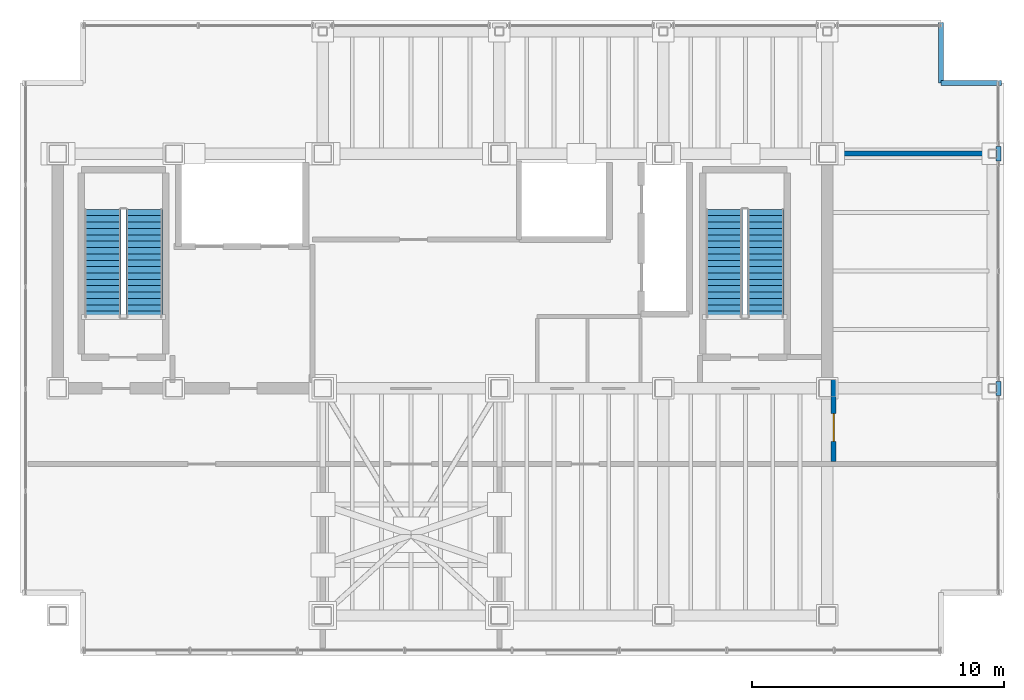
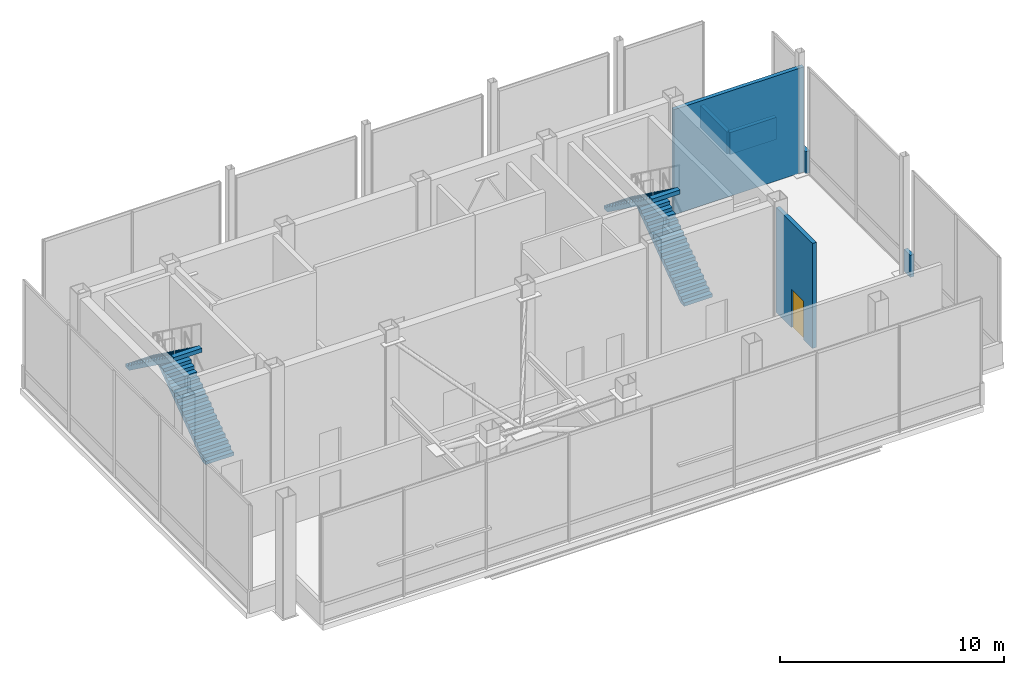
# One storey, part 18 of 19: 6 walls, 4 stair flights, 1 door, 1 opening, 2 elements without a shape of their own.
"""IFC4 building model written with IfcOpenShell, lengths in metres."""

from ifc_helpers import new_model, si_unit, direction, frame, frame_2d, origin, place, context, subcontext, project, spatial, polyline, rectangle, outline, extrude, material, layer, layer_set, type_object, element, fill, aggregate, save


model = new_model("IFC4")

# Units and contexts
model_context = context("Model", 3, precision=1e-05, world=origin(), true_north=direction((0.0, 1.0)))
body_context = subcontext(model_context, "Body", "Model", "MODEL_VIEW")
ifc_project = project(units=[si_unit("LENGTHUNIT", "METRE"), si_unit("AREAUNIT", "SQUARE_METRE"), si_unit("VOLUMEUNIT", "CUBIC_METRE"), si_unit("PLANEANGLEUNIT", "RADIAN"), si_unit("MASSUNIT", "GRAM", prefix="KILO")], contexts=[model_context])

# Site, building, storey
site_placement = place(None, origin())
site = spatial("IfcSite", under=ifc_project, at=site_placement, CompositionType="ELEMENT")
building_placement = place(site_placement, origin())
building = spatial("IfcBuilding", under=site, at=building_placement, Name="Noeulbin Bourse Tower", CompositionType="ELEMENT")
storey_placement = place(building_placement, frame((0.0, 0.0, 306.0)))
storey = spatial("IfcBuildingStorey", under=building, at=storey_placement, Name="L76", CompositionType="ELEMENT", Elevation=306.0)

# Wall
ifc_material_1 = material(Name="Concrete C40/50", Category="concrete")
ifc_layer_1 = layer(ifc_material_1, 0.199951171875)
ifc_layer_set_1 = layer_set([ifc_layer_1], Name="Concrete C40/50")
wall_type_1 = type_object("IfcWallType", Name="WAL-FIRE-200", PredefinedType="STANDARD", material=ifc_layer_set_1)
wall_1_placement = place(storey_placement, frame((44.0, 38.300048828125, 0.0), z_axis=(0.0, 0.0, 1.0), x_axis=(1.0, 0.0, 0.0)))
element("IfcWall", 1, at=wall_1_placement, inside=storey, type_object=wall_type_1, Name="Interior Partition Wall L76-05", PredefinedType="STANDARD", context=body_context, shape_type="SweptSolid", body=[
    extrude(rectangle(XDim=6.68994140625, YDim=0.199951171875, at=frame_2d((3.344970703125, 0.0))), origin(), (0.0, 0.0, 1.0), 5.719970703125),
])

# Wall, opening, door
wall_2_placement = place(storey_placement, frame((44.25, 26.110107421875, 0.0), z_axis=(0.0, 0.0, 1.0), x_axis=(0.0, 1.0, 0.0)))
wall_2 = element("IfcWall", 2, at=wall_2_placement, inside=storey, type_object=wall_type_1, Name="Interior Partition Wall L76-12", PredefinedType="STANDARD", context=body_context, shape_type="SweptSolid", body=[
    extrude(rectangle(XDim=3.239990234375, YDim=0.199951171875, at=frame_2d((1.6201171875, 0.0))), origin(), (0.0, 0.0, 1.0), 5.719970703125),
])
opening_placement = place(wall_2_placement, frame((0.7900390625, 0.0, 0.0)))
opening = element("IfcOpeningElement", 3, at=opening_placement, cuts=wall_2, Name="Opening FD-11", PredefinedType="OPENING", context=body_context, shape_type="SweptSolid", body=[
    extrude(rectangle(XDim=1.10009765625, YDim=2.080078125, at=frame_2d((0.550048828125, 1.0400390625))), frame((0.0, 0.10986328125, 0.0), z_axis=(0.0, -1.0, 0.0), x_axis=(1.0, 0.0, 0.0)), (0.0, 0.0, 1.0), 0.219970703125),
])
ifc_material_2 = material(Name="Fire-Rated Insulated Steel", Category="steel")
door_type = type_object("IfcDoorType", Name="DR-FD60-1100", OperationType="SINGLE_SWING_LEFT", PredefinedType="DOOR", material=ifc_material_2)
door_placement = place(opening_placement, origin())
door = element("IfcDoor", 4, at=door_placement, inside=storey, type_object=door_type, Name="Interior Door L76-08", OperationType="SINGLE_SWING_RIGHT", OverallHeight=2.080078125, OverallWidth=1.10009765625, PredefinedType="DOOR", context=body_context, shape_type="SweptSolid", body=[
    extrude(rectangle(XDim=1.10009765625, YDim=2.080078125, at=frame_2d((0.550048828125, 1.0400390625))), frame((0.0, 0.02490234375, 0.0), z_axis=(0.0, -1.0, 0.0), x_axis=(1.0, 0.0, 0.0)), (0.0, 0.0, 1.0), 0.050048828125),
])
fill(opening, door)

# Walls
ifc_layer_2 = layer(ifc_material_1, 0.199951171875)
ifc_layer_set_2 = layer_set([ifc_layer_2], Name="Concrete C40/50")
wall_type_2 = type_object("IfcWallType", Name="WAL-PAR-200", PredefinedType="PARAPET", material=ifc_layer_set_2)
for number, where, z_axis, x_axis, name in (
    (5, (50.780029296875, 28.719970703125, 0.0), (0.0, 0.0, 1.0), (0.0, 1.0, 0.0), "Perimeter Pier Spandrel Parapet L76-E5"),
    (6, (50.780029296875, 38.02001953125, 0.0), (0.0, 0.0, 1.0), (0.0, 1.0, 0.0), "Perimeter Pier Spandrel Parapet L76-E6"),
):
    element("IfcWall", number, at=place(storey_placement, frame(where, z_axis=z_axis, x_axis=x_axis)), inside=storey, type_object=wall_type_2, Name=name, PredefinedType="PARAPET", context=body_context, shape_type="SweptSolid", body=[
        extrude(rectangle(XDim=0.56005859375, YDim=0.199951171875, at=frame_2d((0.280029296875, 0.0))), origin(), (0.0, 0.0, 1.0), 1.199951171875),
    ])
for number, where, z_axis, x_axis, name in (
    (7, (48.5, 43.5, 0.0), (0.0, 0.0, 1.0), (0.0, -1.0, 0.0), "Corner Notch Parapet L76-NE1"),
    (8, (48.5, 41.10009765625, 0.0), (0.0, 0.0, 1.0), (1.0, 0.0, 0.0), "Corner Notch Parapet L76-NE2"),
):
    element("IfcWall", number, at=place(storey_placement, frame(where, z_axis=z_axis, x_axis=x_axis)), inside=storey, type_object=wall_type_2, Name=name, PredefinedType="PARAPET", context=body_context, shape_type="SweptSolid", body=[
        extrude(rectangle(XDim=2.39990234375, YDim=0.199951171875, at=frame_2d((1.199951171875, 0.0))), origin(), (0.0, 0.0, 1.0), 1.199951171875),
    ])

# Stair, stair flights
stair_type = type_object("IfcStairType", Name="STR-CORE-1560", PredefinedType="HALF_TURN_STAIR", material=ifc_material_1)
stair_1_placement = place(storey_placement, origin())
stair_1 = element("IfcStair", 9, at=stair_1_placement, inside=storey, type_object=stair_type, Name="L76 ST-1", PredefinedType="HALF_TURN_STAIR")
stair_flight_type = type_object("IfcStairFlightType", Name="SFL-CORE-1560", PredefinedType="STRAIGHT", material=ifc_material_1)
stair_flight_1_placement = place(storey_placement, frame((16.925048828125, 31.81005859375, 0.0), z_axis=(0.0, 0.0, 1.0), x_axis=(0.0, 1.0, 0.0)))
stair_flight_1 = element("IfcStairFlight", 10, at=stair_flight_1_placement, type_object=stair_flight_type, Name="ST-1 flight 1", NumberOfRisers=18, NumberOfTreads=17, PredefinedType="STRAIGHT", RiserHeight=0.183333333, TreadLength=0.252, context=body_context, shape_type="SweptSolid", body=[
    extrude(outline(polyline([(0.0, 0.0), (0.0, 0.183349609375), (0.251953125, 0.183349609375), (0.251953125, 0.36669921875), (0.50390625, 0.36669921875), (0.50390625, 0.550048828125), (0.756103515625, 0.550048828125), (0.756103515625, 0.7333984375), (1.008056640625, 0.7333984375), (1.008056640625, 0.916748046875), (1.260009765625, 0.916748046875), (1.260009765625, 1.10009765625), (1.511962890625, 1.10009765625), (1.511962890625, 1.283447265625), (1.763916015625, 1.283447265625), (1.763916015625, 1.466552734375), (2.01611328125, 1.466552734375), (2.01611328125, 1.64990234375), (2.26806640625, 1.64990234375), (2.26806640625, 1.833251953125), (2.52001953125, 1.833251953125), (2.52001953125, 2.0166015625), (2.77197265625, 2.0166015625), (2.77197265625, 2.199951171875), (3.02392578125, 2.199951171875), (3.02392578125, 2.38330078125), (3.27587890625, 2.38330078125), (3.27587890625, 2.566650390625), (3.528076171875, 2.566650390625), (3.528076171875, 2.75), (3.780029296875, 2.75), (3.780029296875, 2.933349609375), (4.031982421875, 2.933349609375), (4.031982421875, 3.11669921875), (4.283935546875, 3.11669921875), (4.283935546875, 3.300048828125), (4.283935546875, 2.89404296875), (0.305908203125, 0.0), (0.0, 0.0)])), frame((0.0, 0.72509765625, 0.0), z_axis=(0.0, -1.0, 0.0), x_axis=(1.0, 0.0, 0.0)), (0.0, 0.0, 1.0), 1.449951171875),
])
stair_flight_2_placement = place(storey_placement, frame((15.27490234375, 36.093994140625, 3.300048828125), z_axis=(0.0, 0.0, 1.0), x_axis=(0.0, -1.0, 0.0)))
stair_flight_2 = element("IfcStairFlight", 11, at=stair_flight_2_placement, type_object=stair_flight_type, Name="ST-1 flight 2", NumberOfRisers=18, NumberOfTreads=17, PredefinedType="STRAIGHT", RiserHeight=0.183333333, TreadLength=0.252, context=body_context, shape_type="SweptSolid", body=[
    extrude(outline(polyline([(0.0, 0.0), (0.0, 0.183349609375), (0.251953125, 0.183349609375), (0.251953125, 0.36669921875), (0.50390625, 0.36669921875), (0.50390625, 0.550048828125), (0.756103515625, 0.550048828125), (0.756103515625, 0.7333984375), (1.008056640625, 0.7333984375), (1.008056640625, 0.916748046875), (1.260009765625, 0.916748046875), (1.260009765625, 1.10009765625), (1.511962890625, 1.10009765625), (1.511962890625, 1.283447265625), (1.763916015625, 1.283447265625), (1.763916015625, 1.466552734375), (2.01611328125, 1.466552734375), (2.01611328125, 1.64990234375), (2.26806640625, 1.64990234375), (2.26806640625, 1.833251953125), (2.52001953125, 1.833251953125), (2.52001953125, 2.0166015625), (2.77197265625, 2.0166015625), (2.77197265625, 2.199951171875), (3.02392578125, 2.199951171875), (3.02392578125, 2.38330078125), (3.27587890625, 2.38330078125), (3.27587890625, 2.566650390625), (3.528076171875, 2.566650390625), (3.528076171875, 2.75), (3.780029296875, 2.75), (3.780029296875, 2.933349609375), (4.031982421875, 2.933349609375), (4.031982421875, 3.11669921875), (4.283935546875, 3.11669921875), (4.283935546875, 3.300048828125), (4.283935546875, 2.89404296875), (0.305908203125, 0.0), (0.0, 0.0)])), frame((0.0, 0.72509765625, 0.0), z_axis=(0.0, -1.0, 0.0), x_axis=(1.0, 0.0, 0.0)), (0.0, 0.0, 1.0), 1.449951171875),
])
aggregate(stair_1, [stair_flight_1, stair_flight_2])

stair_2_placement = place(storey_placement, origin())
stair_2 = element("IfcStair", 12, at=stair_2_placement, inside=storey, type_object=stair_type, Name="L76 ST-2", PredefinedType="HALF_TURN_STAIR")
stair_flight_3_placement = place(storey_placement, frame((41.554931640625, 31.81005859375, 0.0), z_axis=(0.0, 0.0, 1.0), x_axis=(0.0, 1.0, 0.0)))
stair_flight_3 = element("IfcStairFlight", 13, at=stair_flight_3_placement, type_object=stair_flight_type, Name="ST-2 flight 1", NumberOfRisers=18, NumberOfTreads=17, PredefinedType="STRAIGHT", RiserHeight=0.183333333, TreadLength=0.252, context=body_context, shape_type="SweptSolid", body=[
    extrude(outline(polyline([(0.0, 0.0), (0.0, 0.183349609375), (0.251953125, 0.183349609375), (0.251953125, 0.36669921875), (0.50390625, 0.36669921875), (0.50390625, 0.550048828125), (0.756103515625, 0.550048828125), (0.756103515625, 0.7333984375), (1.008056640625, 0.7333984375), (1.008056640625, 0.916748046875), (1.260009765625, 0.916748046875), (1.260009765625, 1.10009765625), (1.511962890625, 1.10009765625), (1.511962890625, 1.283447265625), (1.763916015625, 1.283447265625), (1.763916015625, 1.466552734375), (2.01611328125, 1.466552734375), (2.01611328125, 1.64990234375), (2.26806640625, 1.64990234375), (2.26806640625, 1.833251953125), (2.52001953125, 1.833251953125), (2.52001953125, 2.0166015625), (2.77197265625, 2.0166015625), (2.77197265625, 2.199951171875), (3.02392578125, 2.199951171875), (3.02392578125, 2.38330078125), (3.27587890625, 2.38330078125), (3.27587890625, 2.566650390625), (3.528076171875, 2.566650390625), (3.528076171875, 2.75), (3.780029296875, 2.75), (3.780029296875, 2.933349609375), (4.031982421875, 2.933349609375), (4.031982421875, 3.11669921875), (4.283935546875, 3.11669921875), (4.283935546875, 3.300048828125), (4.283935546875, 2.89404296875), (0.305908203125, 0.0), (0.0, 0.0)])), frame((0.0, 0.72509765625, 0.0), z_axis=(0.0, -1.0, 0.0), x_axis=(1.0, 0.0, 0.0)), (0.0, 0.0, 1.0), 1.449951171875),
])
stair_flight_4_placement = place(storey_placement, frame((39.905029296875, 36.093994140625, 3.300048828125), z_axis=(0.0, 0.0, 1.0), x_axis=(0.0, -1.0, 0.0)))
stair_flight_4 = element("IfcStairFlight", 14, at=stair_flight_4_placement, type_object=stair_flight_type, Name="ST-2 flight 2", NumberOfRisers=18, NumberOfTreads=17, PredefinedType="STRAIGHT", RiserHeight=0.183333333, TreadLength=0.252, context=body_context, shape_type="SweptSolid", body=[
    extrude(outline(polyline([(0.0, 0.0), (0.0, 0.183349609375), (0.251953125, 0.183349609375), (0.251953125, 0.36669921875), (0.50390625, 0.36669921875), (0.50390625, 0.550048828125), (0.756103515625, 0.550048828125), (0.756103515625, 0.7333984375), (1.008056640625, 0.7333984375), (1.008056640625, 0.916748046875), (1.260009765625, 0.916748046875), (1.260009765625, 1.10009765625), (1.511962890625, 1.10009765625), (1.511962890625, 1.283447265625), (1.763916015625, 1.283447265625), (1.763916015625, 1.466552734375), (2.01611328125, 1.466552734375), (2.01611328125, 1.64990234375), (2.26806640625, 1.64990234375), (2.26806640625, 1.833251953125), (2.52001953125, 1.833251953125), (2.52001953125, 2.0166015625), (2.77197265625, 2.0166015625), (2.77197265625, 2.199951171875), (3.02392578125, 2.199951171875), (3.02392578125, 2.38330078125), (3.27587890625, 2.38330078125), (3.27587890625, 2.566650390625), (3.528076171875, 2.566650390625), (3.528076171875, 2.75), (3.780029296875, 2.75), (3.780029296875, 2.933349609375), (4.031982421875, 2.933349609375), (4.031982421875, 3.11669921875), (4.283935546875, 3.11669921875), (4.283935546875, 3.300048828125), (4.283935546875, 2.89404296875), (0.305908203125, 0.0), (0.0, 0.0)])), frame((0.0, 0.72509765625, 0.0), z_axis=(0.0, -1.0, 0.0), x_axis=(1.0, 0.0, 0.0)), (0.0, 0.0, 1.0), 1.449951171875),
])
aggregate(stair_2, [stair_flight_3, stair_flight_4])

save(model, "model.ifc")
